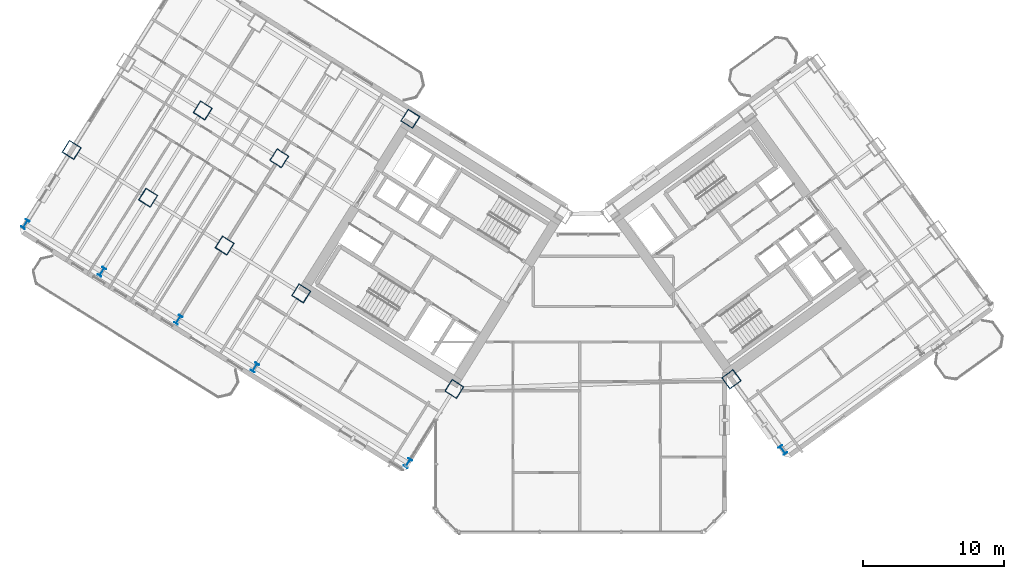
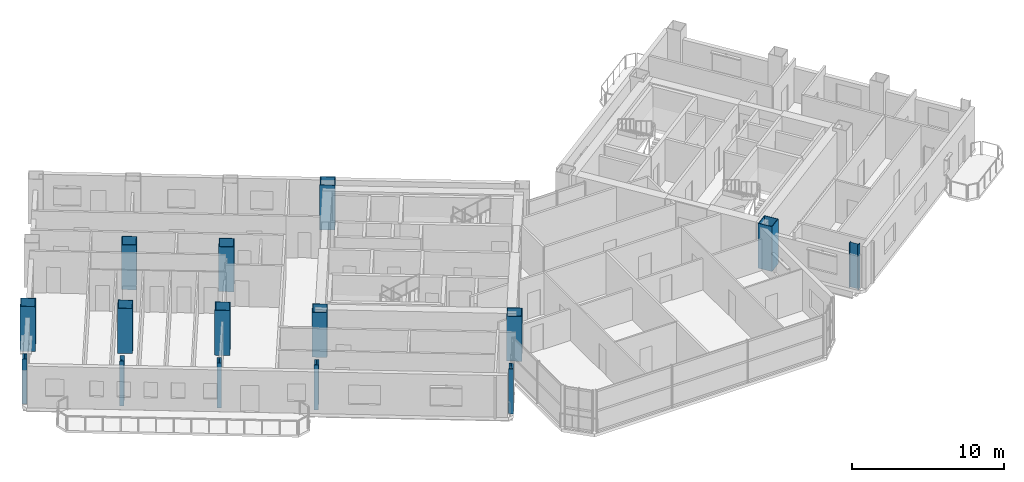
# One storey, part 1 of 24: 15 columns.
"""IFC4 building model written with IfcOpenShell, lengths in metres."""

import ifcopenshell
import ifcopenshell.guid

model = None  # the IFC model being written
_history = None  # IfcOwnerHistory: only IFC2X3 demands one
_inside = {}  # id of a spatial element -> (the spatial element, [elements in it])
_under = {}  # id of a project, library or spatial element -> (it, [spatial elements below it])
_declared = {}  # id of a project -> (the project, [libraries it declares])
_typed = {}  # id of a type object -> (the type object, [elements of that type])
_made_of = {}  # id of a material, layer set ... -> (it, [elements and type objects made of it])


def new_model(schema):
    """Start an empty IFC model of exactly this schema.

    Asked for "IFC4X3", IfcOpenShell would pick the latest addendum, in which some entities
    have other attributes; the version numbers below select the first issue.
    IFC2X3 requires an IfcOwnerHistory on every rooted entity: one is made here for all.
    """
    global model, _history
    if schema == "IFC4X3":
        model = ifcopenshell.file(schema_version=(4, 3, 0, 0))
    else:
        model = ifcopenshell.file(schema=schema)
    _inside.clear()
    _under.clear()
    _declared.clear()
    _typed.clear()
    _made_of.clear()
    _history = None
    if model.schema == "IFC2X3":
        org = make("IfcOrganization", Name="unknown")
        user = make(
            "IfcPersonAndOrganization",
            ThePerson=make("IfcPerson", FamilyName="unknown"),
            TheOrganization=org,
        )
        app = make(
            "IfcApplication",
            ApplicationDeveloper=org,
            Version="unknown",
            ApplicationFullName="unknown",
            ApplicationIdentifier="unknown",
        )
        _history = make(
            "IfcOwnerHistory",
            OwningUser=user,
            OwningApplication=app,
            ChangeAction="ADDED",
            CreationDate=0,
        )
    return model


def make(cls, **values):
    """One entity of the class cls with the attributes given. An attribute that is None is left unset."""
    return model.create_entity(
        cls, **{name: value for name, value in values.items() if value is not None}
    )


def rooted(cls, **values):
    """An entity with a GlobalId (a new one), such as an element, a storey or a relation."""
    return make(cls, GlobalId=ifcopenshell.guid.new(), OwnerHistory=_history, **values)


def si_unit(unit_type, name, prefix=None):
    """IfcSIUnit, for example si_unit("LENGTHUNIT", "METRE", prefix="MILLI")."""
    return make("IfcSIUnit", UnitType=unit_type, Prefix=prefix, Name=name)


def assignment(units):
    """IfcUnitAssignment: the units of a project."""
    return None if units is None else make("IfcUnitAssignment", Units=units)


def point(xyz):
    """IfcCartesianPoint."""
    return None if xyz is None else make("IfcCartesianPoint", Coordinates=xyz)


def direction(xyz):
    """IfcDirection."""
    return None if xyz is None else make("IfcDirection", DirectionRatios=xyz)


def frame(location, z_axis=None, x_axis=None):
    """IfcAxis2Placement3D, a coordinate frame: its origin and axes. An axis left out is left unset."""
    return make(
        "IfcAxis2Placement3D",
        Location=point(location),
        Axis=direction(z_axis),
        RefDirection=direction(x_axis),
    )


def frame_2d(location, x_axis=None):
    """IfcAxis2Placement2D, a coordinate frame in the plane: its origin and x axis."""
    return make(
        "IfcAxis2Placement2D", Location=point(location), RefDirection=direction(x_axis)
    )


def origin():
    """The frame at (0, 0, 0) with its axes left unset."""
    return frame((0.0, 0.0, 0.0))


def origin_2d():
    """The frame at (0, 0) in the plane with its x axis left unset."""
    return frame_2d((0.0, 0.0))


def place(relative_to, where):
    """IfcLocalPlacement: puts the frame where relative to a parent placement (None: the world)."""
    return make(
        "IfcLocalPlacement", PlacementRelTo=relative_to, RelativePlacement=where
    )


def context(
    kind, dimensions, precision=None, world=None, true_north=None, identifier=None
):
    """IfcGeometricRepresentationContext, for example the 3D "Model" context."""
    return make(
        "IfcGeometricRepresentationContext",
        ContextIdentifier=identifier,
        ContextType=kind,
        CoordinateSpaceDimension=dimensions,
        Precision=precision,
        WorldCoordinateSystem=world,
        TrueNorth=true_north,
    )


def subcontext(parent, identifier, kind, view, scale=None):
    """IfcGeometricRepresentationSubContext, for example "Body" below "Model"."""
    return make(
        "IfcGeometricRepresentationSubContext",
        ContextIdentifier=identifier,
        ContextType=kind,
        ParentContext=parent,
        TargetScale=scale,
        TargetView=view,
    )


def project(units=None, contexts=None):
    """IfcProject with its units and contexts."""
    return rooted(
        "IfcProject",
        Name="project",
        RepresentationContexts=contexts,
        UnitsInContext=assignment(units),
    )


def spatial(cls, under=None, at=None, **own):
    """A site, building, storey or space (cls), placed at a placement, below another one or the project."""
    s = rooted(cls, ObjectPlacement=at, **own)
    if under is not None:
        _under.setdefault(under.id(), (under, []))[1].append(s)
    return s


def profile(cls, at=None, kind="AREA", **sizes):
    """A parametric profile (cls). Its sizes go by their IFC names, for example OverallWidth=200.0."""
    return make(cls, ProfileType=kind, Position=at, **sizes)


def hollow_rectangle(**sizes):
    """IfcRectangleHollowProfileDef."""
    return profile("IfcRectangleHollowProfileDef", **sizes)


def i_section(**sizes):
    """IfcIShapeProfileDef."""
    return profile("IfcIShapeProfileDef", **sizes)


def extrude(swept, where, along, depth):
    """IfcExtrudedAreaSolid: the profile swept, set in the frame where, extruded along a direction by depth."""
    return make(
        "IfcExtrudedAreaSolid",
        SweptArea=swept,
        Position=where,
        ExtrudedDirection=direction(along),
        Depth=depth,
    )


def shape(context_of_items, identifier, shape_type, items):
    """IfcShapeRepresentation: the items that make up one representation, for example the "Body"."""
    return make(
        "IfcShapeRepresentation",
        ContextOfItems=context_of_items,
        RepresentationIdentifier=identifier,
        RepresentationType=shape_type,
        Items=items,
    )


def source(mapping_origin, context_of_items, identifier, shape_type, items):
    """IfcRepresentationMap: a shape defined once, which mapped items show again and again."""
    return make(
        "IfcRepresentationMap",
        MappingOrigin=mapping_origin,
        MappedRepresentation=shape(context_of_items, identifier, shape_type, items),
    )


def transform(
    local_origin,
    x_axis=None,
    y_axis=None,
    z_axis=None,
    scale=None,
    scale2=None,
    scale3=None,
    uniform=True,
):
    """IfcCartesianTransformationOperator3D, or its non-uniform kind. x_axis, y_axis, z_axis: its Axis1, 2, 3."""
    if uniform:
        return make(
            "IfcCartesianTransformationOperator3D",
            Axis1=direction(x_axis),
            Axis2=direction(y_axis),
            LocalOrigin=point(local_origin),
            Scale=scale,
            Axis3=direction(z_axis),
        )
    return make(
        "IfcCartesianTransformationOperator3DnonUniform",
        Axis1=direction(x_axis),
        Axis2=direction(y_axis),
        LocalOrigin=point(local_origin),
        Scale=scale,
        Axis3=direction(z_axis),
        Scale2=scale2,
        Scale3=scale3,
    )


def mapped(mapping_source, mapping_target):
    """IfcMappedItem: shows the shape of a source again, moved by a transform."""
    return make(
        "IfcMappedItem", MappingSource=mapping_source, MappingTarget=mapping_target
    )


def material(Name=None, Category=None):
    """IfcMaterial."""
    return make("IfcMaterial", Name=Name, Category=Category)


def material_profile(
    of_material, cross_section, Name=None, Category=None, Priority=None
):
    """IfcMaterialProfile: a cross section and its material."""
    return make(
        "IfcMaterialProfile",
        Name=Name,
        Material=of_material,
        Profile=cross_section,
        Priority=Priority,
        Category=Category,
    )


def profile_set(profiles, Name=None, composite=None):
    """IfcMaterialProfileSet."""
    return make(
        "IfcMaterialProfileSet",
        Name=Name,
        MaterialProfiles=profiles,
        CompositeProfile=composite,
    )


def made_of(thing, what):
    """Note that an element or type object is made of a material, layer set ...; save() writes the relation."""
    if what is not None:
        _made_of.setdefault(what.id(), (what, []))[1].append(thing)
    return thing


def type_object(cls, material=None, **own):
    """A type object (cls), such as IfcWallType, which elements share."""
    return made_of(rooted(cls, **own), material)


def element(
    cls,
    number,
    at=None,
    inside=None,
    cuts=None,
    type_object=None,
    material=None,
    context=None,
    identifier="Body",
    shape_type=None,
    held_by="IfcProductDefinitionShape",
    body=None,
    shapes=None,
    **own,
):
    """One element of the class cls, such as IfcWall. Its Tag is "e" and its number.

    at: its placement. inside: the storey or other place that contains it. cuts: it is an
    opening in that element (IfcRelVoidsElement). A single representation is given by context,
    identifier, shape_type and body (its items); several are given by shapes. held_by: the class
    of the entity that holds the representations. save() writes the other relations.
    """
    e = rooted(cls, Tag="e%d" % number, ObjectPlacement=at, **own)
    if body is not None:
        shapes = [shape(context, identifier, shape_type, body)]
    if shapes is not None:
        e.Representation = make(held_by, Representations=shapes)
    if inside is not None:
        _inside.setdefault(inside.id(), (inside, []))[1].append(e)
    if cuts is not None:
        rooted(
            "IfcRelVoidsElement", RelatingBuildingElement=cuts, RelatedOpeningElement=e
        )
    if type_object is not None:
        _typed.setdefault(type_object.id(), (type_object, []))[1].append(e)
    return made_of(e, material)


def aggregate(whole, parts):
    """IfcRelAggregates: a whole, such as a stair, and the parts it consists of."""
    return rooted("IfcRelAggregates", RelatingObject=whole, RelatedObjects=parts)


def save(model, path):
    """Write the relations noted so far, then the file.

    IfcRelAggregates (storeys below a building ...), IfcRelContainedInSpatialStructure (elements
    in a storey), IfcRelDefinesByType, IfcRelAssociatesMaterial and IfcRelDeclares: one each for
    every whole, place, type object, material and project.
    """
    for whole, parts in _under.values():
        aggregate(whole, parts)
    for where, things in _inside.values():
        rooted(
            "IfcRelContainedInSpatialStructure",
            RelatedElements=things,
            RelatingStructure=where,
        )
    for kind, things in _typed.values():
        rooted("IfcRelDefinesByType", RelatedObjects=things, RelatingType=kind)
    for what, things in _made_of.values():
        rooted("IfcRelAssociatesMaterial", RelatedObjects=things, RelatingMaterial=what)
    for by, libraries in _declared.values():
        rooted("IfcRelDeclares", RelatingContext=by, RelatedDefinitions=libraries)
    model.write(path)


model = new_model("IFC4")

# Units and contexts
model_context = context("Model", 3, precision=1e-05, world=origin(), true_north=direction((0.0, 1.0)))
body_context = subcontext(model_context, "Body", "Model", "MODEL_VIEW")
ifc_project = project(units=[si_unit("LENGTHUNIT", "METRE"), si_unit("AREAUNIT", "SQUARE_METRE"), si_unit("VOLUMEUNIT", "CUBIC_METRE"), si_unit("PLANEANGLEUNIT", "RADIAN"), si_unit("MASSUNIT", "GRAM", prefix="KILO")], contexts=[model_context])

# Site, building, storey
site_placement = place(None, origin())
site = spatial("IfcSite", under=ifc_project, at=site_placement, CompositionType="ELEMENT")
building_placement = place(site_placement, origin())
building = spatial("IfcBuilding", under=site, at=building_placement, Name="Tlacorven Tower", CompositionType="ELEMENT")
storey_placement = place(building_placement, frame((0.0, 0.0, 31.199951171875)))
storey = spatial("IfcBuildingStorey", under=building, at=storey_placement, Name="L07", CompositionType="ELEMENT", Elevation=31.199951171875)

# Columns
ifc_material = material(Name="Steel S460M", Category="steel")
ifc_material_profile_1 = material_profile(ifc_material, hollow_rectangle(XDim=1.0, YDim=1.0, WallThickness=0.0400390625, at=origin_2d()), Name="BOX 1000X1000X40")
ifc_profile_set_1 = profile_set([ifc_material_profile_1], Name="Steel S460M")
column_type_1 = type_object("IfcColumnType", Name="COL-TWR-S1", PredefinedType="COLUMN", material=ifc_profile_set_1)
shared_shape_1 = source(origin(), body_context, "Body", "SweptSolid", [
    extrude(hollow_rectangle(XDim=1.0, YDim=1.0, WallThickness=0.0400390625, at=origin_2d()), origin(), (0.0, 0.0, 1.0), 3.60009765625),
])
for number, where, z_axis, x_axis, name in (
    (1, (33.046142578125, 12.0869140625, 0.0), (0.0, 0.0, 1.0), (-0.848048096156, 0.529919264233, 0.0), "L07 column COL-L07-W1-3"),
    (2, (29.927978515625, 31.25146484375, 0.0), (0.0, 0.0, 1.0), (-0.848048096156, 0.529919264233, 0.0), "L07 column COL-L07-W3-1"),
    (3, (22.191162109375, 18.869873046875, 0.0), (0.0, 0.0, 1.0), (-0.848048096156, 0.529919264233, 0.0), "L07 column COL-L07-W3-3"),
    (4, (20.632080078125, 28.4521484375, 0.0), (0.0, 0.0, 1.0), (-0.848048096156, 0.529919264233, 0.0), "L07 column COL-L07-W4-2"),
    (5, (16.763671875, 22.26123046875, 0.0), (0.0, 0.0, 1.0), (-0.848048096156, 0.529919264233, 0.0), "L07 column COL-L07-W4-3"),
    (6, (15.20458984375, 31.843505859375, 0.0), (0.0, 0.0, 1.0), (-0.848048096156, 0.529919264233, 0.0), "L07 column COL-L07-W5-2"),
    (7, (11.336181640625, 25.65283203125, 0.0), (0.0, 0.0, 1.0), (-0.848048096156, 0.529919264233, 0.0), "L07 column COL-L07-W5-3"),
    (8, (5.90869140625, 29.044189453125, 0.0), (0.0, 0.0, 1.0), (-0.848048096156, 0.529919264233, 0.0), "L07 column COL-L07-W6-3"),
    (9, (52.705322265625, 12.7734375, 0.0), (0.0, 0.0, 1.0), (0.809016994375, 0.587785252292, 0.0), "L07 column COL-L07-E1-2"),
):
    element("IfcColumn", number, at=place(storey_placement, frame(where, z_axis=z_axis, x_axis=x_axis)), inside=storey, type_object=column_type_1, Name=name, PredefinedType="COLUMN", context=body_context, shape_type="MappedRepresentation", body=[
        mapped(shared_shape_1, transform((0.0, 0.0, 0.0), scale=1.0)),
    ])
ifc_material_profile_2 = material_profile(ifc_material, i_section(OverallWidth=0.300048828125, OverallDepth=0.64990234375, WebThickness=0.01611328125, FlangeThickness=0.031005859375, at=origin_2d()), Name="HEB 650")
ifc_profile_set_2 = profile_set([ifc_material_profile_2], Name="Steel S460M")
column_type_2 = type_object("IfcColumnType", Name="COL-TWR-P1", PredefinedType="COLUMN", material=ifc_profile_set_2)
shared_shape_2 = source(origin(), body_context, "Body", "SweptSolid", [
    extrude(i_section(OverallWidth=0.300048828125, OverallDepth=0.64990234375, WebThickness=0.01611328125, FlangeThickness=0.031005859375, at=origin_2d()), origin(), (0.0, 0.0, 1.0), 3.60009765625),
])
for number, where, z_axis, x_axis, name in (
    (10, (29.7607421875, 6.8291015625, 0.0), (0.0, 0.0, 1.0), (-0.848048096156, 0.529919264233, 0.0), "L07 column COL-L07-W1-4"),
    (11, (18.905517578125, 13.612060546875, 0.0), (0.0, 0.0, 1.0), (-0.848048096156, 0.529919264233, 0.0), "L07 column COL-L07-W3-4"),
    (12, (13.47802734375, 17.00341796875, 0.0), (0.0, 0.0, 1.0), (-0.848048096156, 0.529919264233, 0.0), "L07 column COL-L07-W4-4"),
    (13, (8.050537109375, 20.39501953125, 0.0), (0.0, 0.0, 1.0), (-0.848048096156, 0.529919264233, 0.0), "L07 column COL-L07-W5-4"),
    (14, (2.623046875, 23.786376953125, 0.0), (0.0, 0.0, 1.0), (-0.848048096156, 0.529919264233, 0.0), "L07 column COL-L07-W6-4"),
    (15, (56.349609375, 7.757568359375, 0.0), (0.0, 0.0, 1.0), (0.809016994375, 0.587785252292, 0.0), "L07 column COL-L07-E1-1"),
):
    element("IfcColumn", number, at=place(storey_placement, frame(where, z_axis=z_axis, x_axis=x_axis)), inside=storey, type_object=column_type_2, Name=name, PredefinedType="COLUMN", context=body_context, shape_type="MappedRepresentation", body=[
        mapped(shared_shape_2, transform((0.0, 0.0, 0.0), scale=1.0)),
    ])

save(model, "model.ifc")
